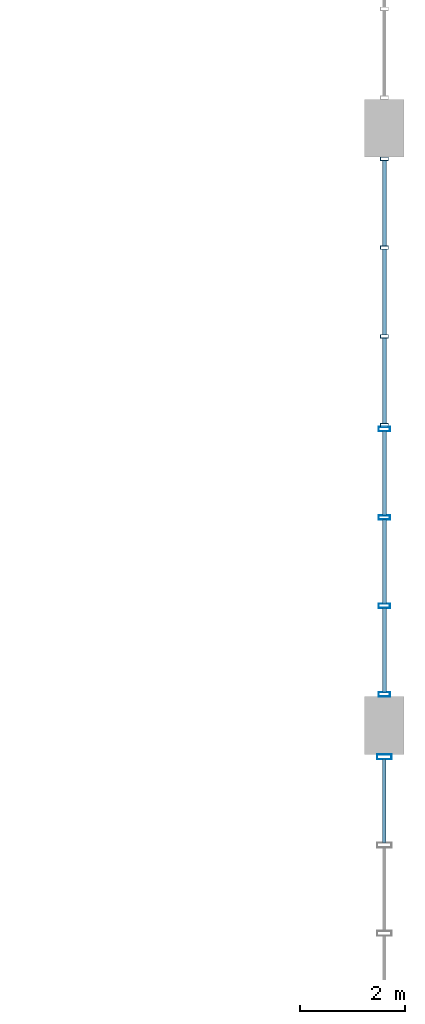
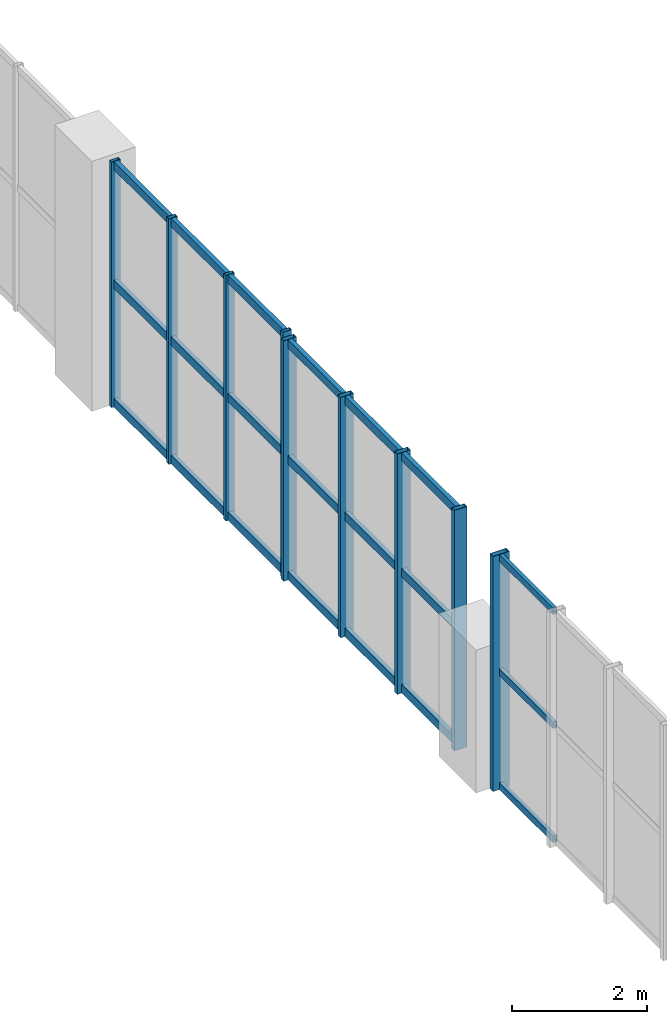
# One storey, part 47 of 80: 30 members, 3 elements without a shape of their own.
"""IFC4 building model written with IfcOpenShell, lengths in metres."""

from ifc_helpers import new_model, si_unit, direction, frame, origin, origin_2d, place, context, subcontext, project, spatial, hollow_rectangle, extrude, material, layer, layer_set, material_profile, profile_set, type_object, element, aggregate, save


model = new_model("IFC4")

# Units and contexts
model_context = context("Model", 3, precision=1e-05, world=origin(), true_north=direction((0.0, 1.0)))
body_context = subcontext(model_context, "Body", "Model", "MODEL_VIEW")
ifc_project = project(units=[si_unit("LENGTHUNIT", "METRE"), si_unit("AREAUNIT", "SQUARE_METRE"), si_unit("VOLUMEUNIT", "CUBIC_METRE"), si_unit("PLANEANGLEUNIT", "RADIAN"), si_unit("MASSUNIT", "GRAM", prefix="KILO"), si_unit("POWERUNIT", "WATT"), si_unit("THERMODYNAMICTEMPERATUREUNIT", "KELVIN")], contexts=[model_context])

# Site, building, storey
site_placement = place(None, origin())
site = spatial("IfcSite", under=ifc_project, at=site_placement, CompositionType="ELEMENT")
building_placement = place(site_placement, origin())
building = spatial("IfcBuilding", under=site, at=building_placement, Name="Kelmbourne Parkland Aquatics Centre", CompositionType="ELEMENT")
storey_placement = place(building_placement, frame((0.0, 0.0, 10.199951171875)))
storey = spatial("IfcBuildingStorey", under=building, at=storey_placement, Name="L02", CompositionType="ELEMENT", Elevation=10.199951171875)

# Curtain wall, members
ifc_material = material(Name="Thermally broken anodised aluminium framing", Category="aluminium")
ifc_layer_1 = layer(ifc_material, 0.179931640625)
ifc_layer_set_1 = layer_set([ifc_layer_1], Name="Thermally broken anodised aluminium framing")
curtain_wall_type_1 = type_object("IfcCurtainWallType", Name="CW-07", PredefinedType="NOTDEFINED", material=ifc_layer_set_1)
curtain_wall_1_placement = place(storey_placement, origin())
curtain_wall_1 = element("IfcCurtainWall", 1, at=curtain_wall_1_placement, inside=storey, type_object=curtain_wall_type_1, Name="Wave-hall clerestory curtain wall CW-L02-055", PredefinedType="NOTDEFINED")
ifc_material_profile_1 = material_profile(ifc_material, hollow_rectangle(XDim=0.06494140625, YDim=0.14990234375, WallThickness=0.00390625, at=origin_2d()), Name="CW-M 65x150")
ifc_profile_set_1 = profile_set([ifc_material_profile_1], Name="Thermally broken anodised aluminium framing")
member_type_1 = type_object("IfcMemberType", Name="MB-MUL-1", PredefinedType="MULLION", material=ifc_profile_set_1)
member_1_placement = place(storey_placement, frame((175.199951171875, 63.532470703125, 0.0), z_axis=(0.0, 0.0, 1.0), x_axis=(0.0, 1.0, 0.0)))
member_1 = element("IfcMember", 2, at=member_1_placement, type_object=member_type_1, Name="CW-L02-055 mullion 0", PredefinedType="MULLION", context=body_context, shape_type="SweptSolid", body=[
    extrude(hollow_rectangle(XDim=0.06494140625, YDim=0.14990234375, WallThickness=0.00390625, at=origin_2d()), origin(), (0.0, 0.0, 1.0), 4.449951171875),
])
member_2_placement = place(storey_placement, frame((175.199951171875, 65.226806640625, 0.0), z_axis=(0.0, 0.0, 1.0), x_axis=(0.0, 1.0, 0.0)))
member_2 = element("IfcMember", 3, at=member_2_placement, type_object=member_type_1, Name="CW-L02-055 mullion 1", PredefinedType="MULLION", context=body_context, shape_type="SweptSolid", body=[
    extrude(hollow_rectangle(XDim=0.06494140625, YDim=0.14990234375, WallThickness=0.00390625, at=origin_2d()), origin(), (0.0, 0.0, 1.0), 4.449951171875),
])
member_3_placement = place(storey_placement, frame((175.199951171875, 66.921142578125, 0.0), z_axis=(0.0, 0.0, 1.0), x_axis=(0.0, 1.0, 0.0)))
member_3 = element("IfcMember", 4, at=member_3_placement, type_object=member_type_1, Name="CW-L02-055 mullion 2", PredefinedType="MULLION", context=body_context, shape_type="SweptSolid", body=[
    extrude(hollow_rectangle(XDim=0.06494140625, YDim=0.14990234375, WallThickness=0.00390625, at=origin_2d()), origin(), (0.0, 0.0, 1.0), 4.449951171875),
])
member_4_placement = place(storey_placement, frame((175.199951171875, 68.615478515625, 0.0), z_axis=(0.0, 0.0, 1.0), x_axis=(0.0, 1.0, 0.0)))
member_4 = element("IfcMember", 5, at=member_4_placement, type_object=member_type_1, Name="CW-L02-055 mullion 3", PredefinedType="MULLION", context=body_context, shape_type="SweptSolid", body=[
    extrude(hollow_rectangle(XDim=0.06494140625, YDim=0.14990234375, WallThickness=0.00390625, at=origin_2d()), origin(), (0.0, 0.0, 1.0), 4.449951171875),
])

ifc_layer_2 = layer(ifc_material, 0.179931640625)
ifc_layer_set_2 = layer_set([ifc_layer_2], Name="Thermally broken anodised aluminium framing")
curtain_wall_type_2 = type_object("IfcCurtainWallType", Name="CW-04", PredefinedType="NOTDEFINED", material=ifc_layer_set_2)
curtain_wall_2_placement = place(storey_placement, origin())
curtain_wall_2 = element("IfcCurtainWall", 6, at=curtain_wall_2_placement, inside=storey, type_object=curtain_wall_type_2, Name="Wave-hall clerestory curtain wall CW-L02-052", PredefinedType="NOTDEFINED")
ifc_material_profile_2 = material_profile(ifc_material, hollow_rectangle(XDim=0.0849609375, YDim=0.219970703125, WallThickness=0.0048828125, at=origin_2d()), Name="CW-M 85x220")
ifc_profile_set_2 = profile_set([ifc_material_profile_2], Name="Thermally broken anodised aluminium framing")
member_type_2 = type_object("IfcMemberType", Name="MB-MUL-3", PredefinedType="MULLION", material=ifc_profile_set_2)
member_5_placement = place(storey_placement, frame((175.199951171875, 58.39453125, 0.0), z_axis=(0.0, 0.0, 1.0), x_axis=(0.0, 1.0, 0.0)))
member_5 = element("IfcMember", 7, at=member_5_placement, type_object=member_type_2, Name="CW-L02-052 mullion 0", PredefinedType="MULLION", context=body_context, shape_type="SweptSolid", body=[
    extrude(hollow_rectangle(XDim=0.0849609375, YDim=0.219970703125, WallThickness=0.0048828125, at=origin_2d()), origin(), (0.0, 0.0, 1.0), 4.3564453125),
])
member_6_placement = place(storey_placement, frame((175.199951171875, 60.082275390625, 0.0), z_axis=(0.0, 0.0, 1.0), x_axis=(0.0, 1.0, 0.0)))
member_6 = element("IfcMember", 8, at=member_6_placement, type_object=member_type_2, Name="CW-L02-052 mullion 1", PredefinedType="MULLION", context=body_context, shape_type="SweptSolid", body=[
    extrude(hollow_rectangle(XDim=0.0849609375, YDim=0.219970703125, WallThickness=0.0048828125, at=origin_2d()), origin(), (0.0, 0.0, 1.0), 4.3564453125),
])
member_7_placement = place(storey_placement, frame((175.199951171875, 61.769775390625, 0.0), z_axis=(0.0, 0.0, 1.0), x_axis=(0.0, 1.0, 0.0)))
member_7 = element("IfcMember", 9, at=member_7_placement, type_object=member_type_2, Name="CW-L02-052 mullion 2", PredefinedType="MULLION", context=body_context, shape_type="SweptSolid", body=[
    extrude(hollow_rectangle(XDim=0.0849609375, YDim=0.219970703125, WallThickness=0.0048828125, at=origin_2d()), origin(), (0.0, 0.0, 1.0), 4.3564453125),
])
member_8_placement = place(storey_placement, frame((175.199951171875, 63.45751953125, 0.0), z_axis=(0.0, 0.0, 1.0), x_axis=(0.0, 1.0, 0.0)))
member_8 = element("IfcMember", 10, at=member_8_placement, type_object=member_type_2, Name="CW-L02-052 mullion 3", PredefinedType="MULLION", context=body_context, shape_type="SweptSolid", body=[
    extrude(hollow_rectangle(XDim=0.0849609375, YDim=0.219970703125, WallThickness=0.0048828125, at=origin_2d()), origin(), (0.0, 0.0, 1.0), 4.3564453125),
])

ifc_layer_3 = layer(ifc_material, 0.179931640625)
ifc_layer_set_3 = layer_set([ifc_layer_3], Name="Thermally broken anodised aluminium framing")
curtain_wall_type_3 = type_object("IfcCurtainWallType", Name="CW-24", PredefinedType="NOTDEFINED", material=ifc_layer_set_3)
curtain_wall_3_placement = place(storey_placement, origin())
curtain_wall_3 = element("IfcCurtainWall", 11, at=curtain_wall_3_placement, inside=storey, type_object=curtain_wall_type_3, Name="Wave-hall clerestory curtain wall CW-L02-048", PredefinedType="NOTDEFINED")
ifc_material_profile_3 = material_profile(ifc_material, hollow_rectangle(XDim=0.094970703125, YDim=0.280029296875, WallThickness=0.005615234375, at=origin_2d()), Name="CW-M 95x280")
ifc_profile_set_3 = profile_set([ifc_material_profile_3], Name="Thermally broken anodised aluminium framing")
member_type_3 = type_object("IfcMemberType", Name="MB-MUL-4", PredefinedType="MULLION", material=ifc_profile_set_3)
member_9_placement = place(storey_placement, frame((175.199951171875, 57.200439453125, 0.0), z_axis=(0.0, 0.0, 1.0), x_axis=(0.0, 1.0, 0.0)))
member_9 = element("IfcMember", 12, at=member_9_placement, type_object=member_type_3, Name="CW-L02-048 mullion 3", PredefinedType="MULLION", context=body_context, shape_type="SweptSolid", body=[
    extrude(hollow_rectangle(XDim=0.094970703125, YDim=0.280029296875, WallThickness=0.005615234375, at=origin_2d()), origin(), (0.0, 0.0, 1.0), 4.258544921875),
])
ifc_material_profile_4 = material_profile(ifc_material, hollow_rectangle(XDim=0.06494140625, YDim=0.1201171875, WallThickness=0.00341796875, at=origin_2d()), Name="CW-T 65x120")
ifc_profile_set_4 = profile_set([ifc_material_profile_4], Name="Thermally broken anodised aluminium framing")
member_type_4 = type_object("IfcMemberType", Name="MB-TRN-1", PredefinedType="USERDEFINED", material=ifc_profile_set_4)
member_10_placement = place(storey_placement, frame((175.199951171875, 55.559814453125, 0.06298828125), z_axis=(0.0, 1.0, 0.0), x_axis=(-1.0, 0.0, 0.0)))
member_10 = element("IfcMember", 13, at=member_10_placement, type_object=member_type_4, Name="CW-L02-048 transom 0-2", ObjectType="TRANSOM", PredefinedType="USERDEFINED", context=body_context, shape_type="SweptSolid", body=[
    extrude(hollow_rectangle(XDim=0.06494140625, YDim=0.1201171875, WallThickness=0.00341796875, at=origin_2d()), origin(), (0.0, 0.0, 1.0), 1.59716796875),
])
member_11_placement = place(storey_placement, frame((175.199951171875, 55.559814453125, 2.129150390625), z_axis=(0.0, 1.0, 0.0), x_axis=(-1.0, 0.0, 0.0)))
member_11 = element("IfcMember", 14, at=member_11_placement, type_object=member_type_4, Name="CW-L02-048 transom 1-2", ObjectType="TRANSOM", PredefinedType="USERDEFINED", context=body_context, shape_type="SweptSolid", body=[
    extrude(hollow_rectangle(XDim=0.06494140625, YDim=0.1201171875, WallThickness=0.00341796875, at=origin_2d()), origin(), (0.0, 0.0, 1.0), 1.59716796875),
])
member_12_placement = place(storey_placement, frame((175.199951171875, 55.559814453125, 4.195556640625), z_axis=(0.0, 1.0, 0.0), x_axis=(-1.0, 0.0, 0.0)))
member_12 = element("IfcMember", 15, at=member_12_placement, type_object=member_type_4, Name="CW-L02-048 transom 2-2", ObjectType="TRANSOM", PredefinedType="USERDEFINED", context=body_context, shape_type="SweptSolid", body=[
    extrude(hollow_rectangle(XDim=0.06494140625, YDim=0.1201171875, WallThickness=0.00341796875, at=origin_2d()), origin(), (0.0, 0.0, 1.0), 1.59716796875),
])
aggregate(curtain_wall_3, [member_9, member_10, member_11, member_12])

# Member
ifc_material_profile_5 = material_profile(ifc_material, hollow_rectangle(XDim=0.074951171875, YDim=0.14990234375, WallThickness=0.00390625, at=origin_2d()), Name="CW-T 75x150")
ifc_profile_set_5 = profile_set([ifc_material_profile_5], Name="Thermally broken anodised aluminium framing")
member_type_5 = type_object("IfcMemberType", Name="MB-TRN-2", PredefinedType="USERDEFINED", material=ifc_profile_set_5)
member_13_placement = place(storey_placement, frame((175.199951171875, 58.43310546875, 0.078125), z_axis=(0.0, 1.0, 0.0), x_axis=(-1.0, 0.0, 0.0)))
member_13 = element("IfcMember", 16, at=member_13_placement, type_object=member_type_5, Name="CW-L02-052 transom 0-0", ObjectType="TRANSOM", PredefinedType="USERDEFINED", context=body_context, shape_type="SweptSolid", body=[
    extrude(hollow_rectangle(XDim=0.074951171875, YDim=0.14990234375, WallThickness=0.00390625, at=origin_2d()), origin(), (0.0, 0.0, 1.0), 1.610595703125),
])

member_14_placement = place(storey_placement, frame((175.199951171875, 60.12060546875, 0.078125), z_axis=(0.0, 1.0, 0.0), x_axis=(-1.0, 0.0, 0.0)))
member_14 = element("IfcMember", 17, at=member_14_placement, type_object=member_type_5, Name="CW-L02-052 transom 0-1", ObjectType="TRANSOM", PredefinedType="USERDEFINED", context=body_context, shape_type="SweptSolid", body=[
    extrude(hollow_rectangle(XDim=0.074951171875, YDim=0.14990234375, WallThickness=0.00390625, at=origin_2d()), origin(), (0.0, 0.0, 1.0), 1.610595703125),
])

member_15_placement = place(storey_placement, frame((175.199951171875, 61.808349609375, 0.078125), z_axis=(0.0, 1.0, 0.0), x_axis=(-1.0, 0.0, 0.0)))
member_15 = element("IfcMember", 18, at=member_15_placement, type_object=member_type_5, Name="CW-L02-052 transom 0-2", ObjectType="TRANSOM", PredefinedType="USERDEFINED", context=body_context, shape_type="SweptSolid", body=[
    extrude(hollow_rectangle(XDim=0.074951171875, YDim=0.14990234375, WallThickness=0.00390625, at=origin_2d()), origin(), (0.0, 0.0, 1.0), 1.610595703125),
])

member_16_placement = place(storey_placement, frame((175.199951171875, 58.43310546875, 2.17822265625), z_axis=(0.0, 1.0, 0.0), x_axis=(-1.0, 0.0, 0.0)))
member_16 = element("IfcMember", 19, at=member_16_placement, type_object=member_type_5, Name="CW-L02-052 transom 1-0", ObjectType="TRANSOM", PredefinedType="USERDEFINED", context=body_context, shape_type="SweptSolid", body=[
    extrude(hollow_rectangle(XDim=0.074951171875, YDim=0.14990234375, WallThickness=0.00390625, at=origin_2d()), origin(), (0.0, 0.0, 1.0), 1.610595703125),
])

member_17_placement = place(storey_placement, frame((175.199951171875, 60.12060546875, 2.17822265625), z_axis=(0.0, 1.0, 0.0), x_axis=(-1.0, 0.0, 0.0)))
member_17 = element("IfcMember", 20, at=member_17_placement, type_object=member_type_5, Name="CW-L02-052 transom 1-1", ObjectType="TRANSOM", PredefinedType="USERDEFINED", context=body_context, shape_type="SweptSolid", body=[
    extrude(hollow_rectangle(XDim=0.074951171875, YDim=0.14990234375, WallThickness=0.00390625, at=origin_2d()), origin(), (0.0, 0.0, 1.0), 1.610595703125),
])

member_18_placement = place(storey_placement, frame((175.199951171875, 61.808349609375, 2.17822265625), z_axis=(0.0, 1.0, 0.0), x_axis=(-1.0, 0.0, 0.0)))
member_18 = element("IfcMember", 21, at=member_18_placement, type_object=member_type_5, Name="CW-L02-052 transom 1-2", ObjectType="TRANSOM", PredefinedType="USERDEFINED", context=body_context, shape_type="SweptSolid", body=[
    extrude(hollow_rectangle(XDim=0.074951171875, YDim=0.14990234375, WallThickness=0.00390625, at=origin_2d()), origin(), (0.0, 0.0, 1.0), 1.610595703125),
])

member_19_placement = place(storey_placement, frame((175.199951171875, 58.43310546875, 4.278564453125), z_axis=(0.0, 1.0, 0.0), x_axis=(-1.0, 0.0, 0.0)))
member_19 = element("IfcMember", 22, at=member_19_placement, type_object=member_type_5, Name="CW-L02-052 transom 2-0", ObjectType="TRANSOM", PredefinedType="USERDEFINED", context=body_context, shape_type="SweptSolid", body=[
    extrude(hollow_rectangle(XDim=0.074951171875, YDim=0.14990234375, WallThickness=0.00390625, at=origin_2d()), origin(), (0.0, 0.0, 1.0), 1.610595703125),
])

member_20_placement = place(storey_placement, frame((175.199951171875, 60.12060546875, 4.278564453125), z_axis=(0.0, 1.0, 0.0), x_axis=(-1.0, 0.0, 0.0)))
member_20 = element("IfcMember", 23, at=member_20_placement, type_object=member_type_5, Name="CW-L02-052 transom 2-1", ObjectType="TRANSOM", PredefinedType="USERDEFINED", context=body_context, shape_type="SweptSolid", body=[
    extrude(hollow_rectangle(XDim=0.074951171875, YDim=0.14990234375, WallThickness=0.00390625, at=origin_2d()), origin(), (0.0, 0.0, 1.0), 1.610595703125),
])

member_21_placement = place(storey_placement, frame((175.199951171875, 61.808349609375, 4.278564453125), z_axis=(0.0, 1.0, 0.0), x_axis=(-1.0, 0.0, 0.0)))
member_21 = element("IfcMember", 24, at=member_21_placement, type_object=member_type_5, Name="CW-L02-052 transom 2-2", ObjectType="TRANSOM", PredefinedType="USERDEFINED", context=body_context, shape_type="SweptSolid", body=[
    extrude(hollow_rectangle(XDim=0.074951171875, YDim=0.14990234375, WallThickness=0.00390625, at=origin_2d()), origin(), (0.0, 0.0, 1.0), 1.610595703125),
])

aggregate(curtain_wall_2, [member_5, member_6, member_7, member_8, member_13, member_14, member_15, member_16, member_17, member_18, member_19, member_20, member_21])

member_22_placement = place(storey_placement, frame((175.199951171875, 63.56103515625, 0.078125), z_axis=(0.0, 1.0, 0.0), x_axis=(-1.0, 0.0, 0.0)))
member_22 = element("IfcMember", 25, at=member_22_placement, type_object=member_type_5, Name="CW-L02-055 transom 0-0", ObjectType="TRANSOM", PredefinedType="USERDEFINED", context=body_context, shape_type="SweptSolid", body=[
    extrude(hollow_rectangle(XDim=0.074951171875, YDim=0.14990234375, WallThickness=0.00390625, at=origin_2d()), origin(), (0.0, 0.0, 1.0), 1.63720703125),
])

member_23_placement = place(storey_placement, frame((175.199951171875, 65.25537109375, 0.078125), z_axis=(0.0, 1.0, 0.0), x_axis=(-1.0, 0.0, 0.0)))
member_23 = element("IfcMember", 26, at=member_23_placement, type_object=member_type_5, Name="CW-L02-055 transom 0-1", ObjectType="TRANSOM", PredefinedType="USERDEFINED", context=body_context, shape_type="SweptSolid", body=[
    extrude(hollow_rectangle(XDim=0.074951171875, YDim=0.14990234375, WallThickness=0.00390625, at=origin_2d()), origin(), (0.0, 0.0, 1.0), 1.63720703125),
])

member_24_placement = place(storey_placement, frame((175.199951171875, 66.94970703125, 0.078125), z_axis=(0.0, 1.0, 0.0), x_axis=(-1.0, 0.0, 0.0)))
member_24 = element("IfcMember", 27, at=member_24_placement, type_object=member_type_5, Name="CW-L02-055 transom 0-2", ObjectType="TRANSOM", PredefinedType="USERDEFINED", context=body_context, shape_type="SweptSolid", body=[
    extrude(hollow_rectangle(XDim=0.074951171875, YDim=0.14990234375, WallThickness=0.00390625, at=origin_2d()), origin(), (0.0, 0.0, 1.0), 1.63720703125),
])

member_25_placement = place(storey_placement, frame((175.199951171875, 63.56103515625, 2.22509765625), z_axis=(0.0, 1.0, 0.0), x_axis=(-1.0, 0.0, 0.0)))
member_25 = element("IfcMember", 28, at=member_25_placement, type_object=member_type_5, Name="CW-L02-055 transom 1-0", ObjectType="TRANSOM", PredefinedType="USERDEFINED", context=body_context, shape_type="SweptSolid", body=[
    extrude(hollow_rectangle(XDim=0.074951171875, YDim=0.14990234375, WallThickness=0.00390625, at=origin_2d()), origin(), (0.0, 0.0, 1.0), 1.63720703125),
])

member_26_placement = place(storey_placement, frame((175.199951171875, 65.25537109375, 2.22509765625), z_axis=(0.0, 1.0, 0.0), x_axis=(-1.0, 0.0, 0.0)))
member_26 = element("IfcMember", 29, at=member_26_placement, type_object=member_type_5, Name="CW-L02-055 transom 1-1", ObjectType="TRANSOM", PredefinedType="USERDEFINED", context=body_context, shape_type="SweptSolid", body=[
    extrude(hollow_rectangle(XDim=0.074951171875, YDim=0.14990234375, WallThickness=0.00390625, at=origin_2d()), origin(), (0.0, 0.0, 1.0), 1.63720703125),
])

member_27_placement = place(storey_placement, frame((175.199951171875, 66.94970703125, 2.22509765625), z_axis=(0.0, 1.0, 0.0), x_axis=(-1.0, 0.0, 0.0)))
member_27 = element("IfcMember", 30, at=member_27_placement, type_object=member_type_5, Name="CW-L02-055 transom 1-2", ObjectType="TRANSOM", PredefinedType="USERDEFINED", context=body_context, shape_type="SweptSolid", body=[
    extrude(hollow_rectangle(XDim=0.074951171875, YDim=0.14990234375, WallThickness=0.00390625, at=origin_2d()), origin(), (0.0, 0.0, 1.0), 1.63720703125),
])

member_28_placement = place(storey_placement, frame((175.199951171875, 63.56103515625, 4.3720703125), z_axis=(0.0, 1.0, 0.0), x_axis=(-1.0, 0.0, 0.0)))
member_28 = element("IfcMember", 31, at=member_28_placement, type_object=member_type_5, Name="CW-L02-055 transom 2-0", ObjectType="TRANSOM", PredefinedType="USERDEFINED", context=body_context, shape_type="SweptSolid", body=[
    extrude(hollow_rectangle(XDim=0.074951171875, YDim=0.14990234375, WallThickness=0.00390625, at=origin_2d()), origin(), (0.0, 0.0, 1.0), 1.63720703125),
])

member_29_placement = place(storey_placement, frame((175.199951171875, 65.25537109375, 4.3720703125), z_axis=(0.0, 1.0, 0.0), x_axis=(-1.0, 0.0, 0.0)))
member_29 = element("IfcMember", 32, at=member_29_placement, type_object=member_type_5, Name="CW-L02-055 transom 2-1", ObjectType="TRANSOM", PredefinedType="USERDEFINED", context=body_context, shape_type="SweptSolid", body=[
    extrude(hollow_rectangle(XDim=0.074951171875, YDim=0.14990234375, WallThickness=0.00390625, at=origin_2d()), origin(), (0.0, 0.0, 1.0), 1.63720703125),
])

member_30_placement = place(storey_placement, frame((175.199951171875, 66.94970703125, 4.3720703125), z_axis=(0.0, 1.0, 0.0), x_axis=(-1.0, 0.0, 0.0)))
member_30 = element("IfcMember", 33, at=member_30_placement, type_object=member_type_5, Name="CW-L02-055 transom 2-2", ObjectType="TRANSOM", PredefinedType="USERDEFINED", context=body_context, shape_type="SweptSolid", body=[
    extrude(hollow_rectangle(XDim=0.074951171875, YDim=0.14990234375, WallThickness=0.00390625, at=origin_2d()), origin(), (0.0, 0.0, 1.0), 1.63720703125),
])

aggregate(curtain_wall_1, [member_1, member_2, member_3, member_4, member_22, member_23, member_24, member_25, member_26, member_27, member_28, member_29, member_30])

save(model, "model.ifc")
